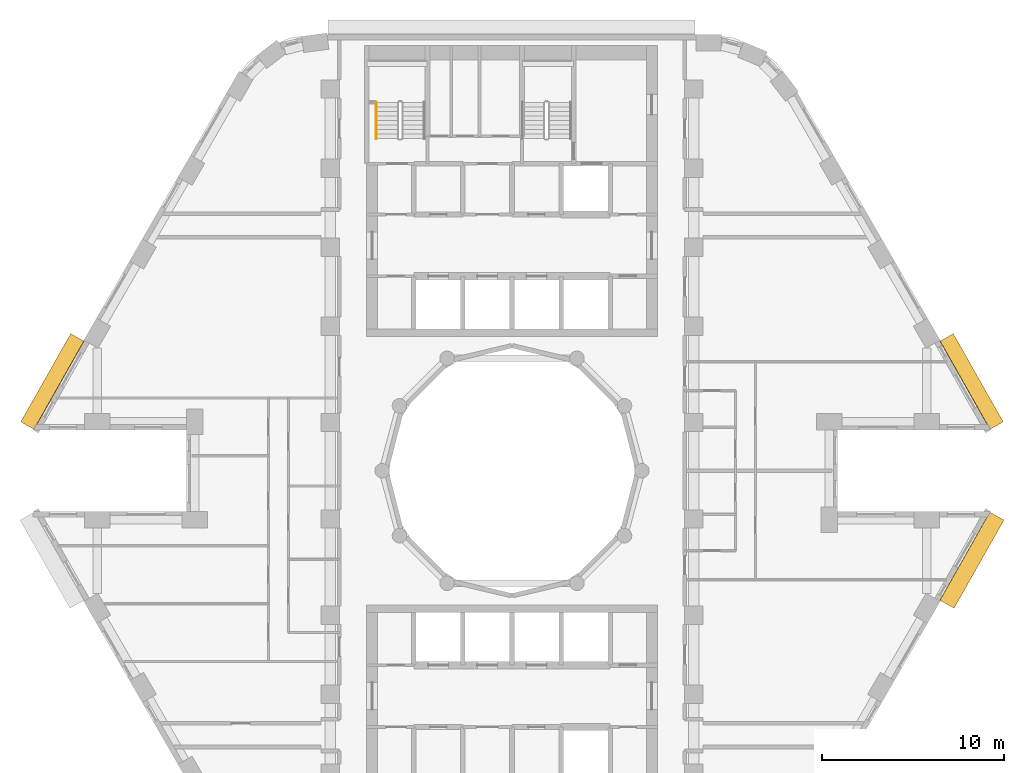
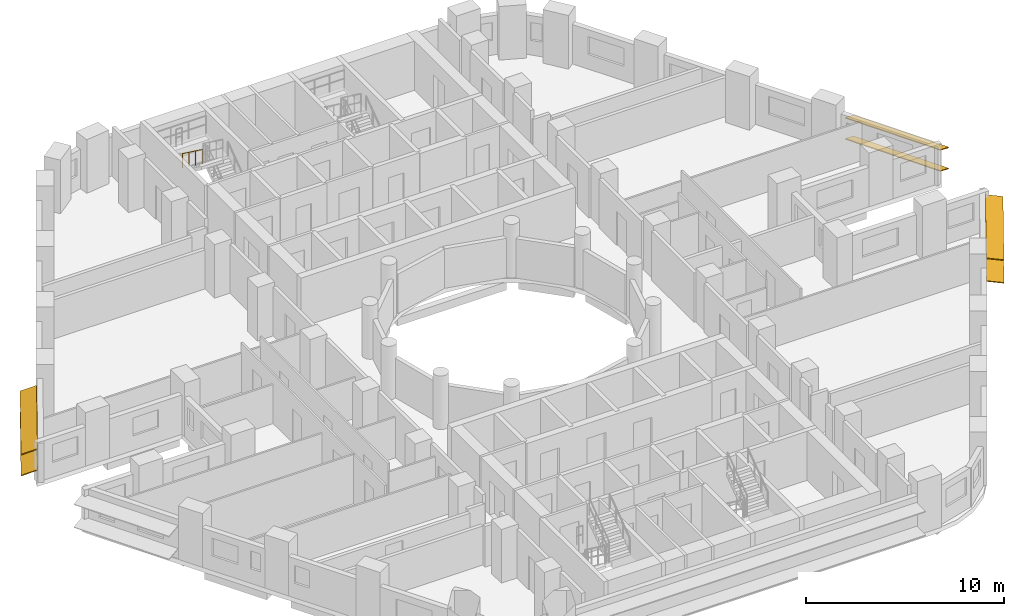
# One storey, part 11 of 12: 6 shading devices, 1 railing.
"""IFC4 building model written with IfcOpenShell, lengths in metres."""

import ifcopenshell
import ifcopenshell.guid

model = None  # the IFC model being written
_history = None  # IfcOwnerHistory: only IFC2X3 demands one
_inside = {}  # id of a spatial element -> (the spatial element, [elements in it])
_under = {}  # id of a project, library or spatial element -> (it, [spatial elements below it])
_declared = {}  # id of a project -> (the project, [libraries it declares])
_typed = {}  # id of a type object -> (the type object, [elements of that type])
_made_of = {}  # id of a material, layer set ... -> (it, [elements and type objects made of it])


def new_model(schema):
    """Start an empty IFC model of exactly this schema.

    Asked for "IFC4X3", IfcOpenShell would pick the latest addendum, in which some entities
    have other attributes; the version numbers below select the first issue.
    IFC2X3 requires an IfcOwnerHistory on every rooted entity: one is made here for all.
    """
    global model, _history
    if schema == "IFC4X3":
        model = ifcopenshell.file(schema_version=(4, 3, 0, 0))
    else:
        model = ifcopenshell.file(schema=schema)
    _inside.clear()
    _under.clear()
    _declared.clear()
    _typed.clear()
    _made_of.clear()
    _history = None
    if model.schema == "IFC2X3":
        org = make("IfcOrganization", Name="unknown")
        user = make(
            "IfcPersonAndOrganization",
            ThePerson=make("IfcPerson", FamilyName="unknown"),
            TheOrganization=org,
        )
        app = make(
            "IfcApplication",
            ApplicationDeveloper=org,
            Version="unknown",
            ApplicationFullName="unknown",
            ApplicationIdentifier="unknown",
        )
        _history = make(
            "IfcOwnerHistory",
            OwningUser=user,
            OwningApplication=app,
            ChangeAction="ADDED",
            CreationDate=0,
        )
    return model


def make(cls, **values):
    """One entity of the class cls with the attributes given. An attribute that is None is left unset."""
    return model.create_entity(
        cls, **{name: value for name, value in values.items() if value is not None}
    )


def rooted(cls, **values):
    """An entity with a GlobalId (a new one), such as an element, a storey or a relation."""
    return make(cls, GlobalId=ifcopenshell.guid.new(), OwnerHistory=_history, **values)


def si_unit(unit_type, name, prefix=None):
    """IfcSIUnit, for example si_unit("LENGTHUNIT", "METRE", prefix="MILLI")."""
    return make("IfcSIUnit", UnitType=unit_type, Prefix=prefix, Name=name)


def assignment(units):
    """IfcUnitAssignment: the units of a project."""
    return None if units is None else make("IfcUnitAssignment", Units=units)


def point(xyz):
    """IfcCartesianPoint."""
    return None if xyz is None else make("IfcCartesianPoint", Coordinates=xyz)


def direction(xyz):
    """IfcDirection."""
    return None if xyz is None else make("IfcDirection", DirectionRatios=xyz)


def frame(location, z_axis=None, x_axis=None):
    """IfcAxis2Placement3D, a coordinate frame: its origin and axes. An axis left out is left unset."""
    return make(
        "IfcAxis2Placement3D",
        Location=point(location),
        Axis=direction(z_axis),
        RefDirection=direction(x_axis),
    )


def frame_2d(location, x_axis=None):
    """IfcAxis2Placement2D, a coordinate frame in the plane: its origin and x axis."""
    return make(
        "IfcAxis2Placement2D", Location=point(location), RefDirection=direction(x_axis)
    )


def origin():
    """The frame at (0, 0, 0) with its axes left unset."""
    return frame((0.0, 0.0, 0.0))


def origin_2d():
    """The frame at (0, 0) in the plane with its x axis left unset."""
    return frame_2d((0.0, 0.0))


def place(relative_to, where):
    """IfcLocalPlacement: puts the frame where relative to a parent placement (None: the world)."""
    return make(
        "IfcLocalPlacement", PlacementRelTo=relative_to, RelativePlacement=where
    )


def context(
    kind, dimensions, precision=None, world=None, true_north=None, identifier=None
):
    """IfcGeometricRepresentationContext, for example the 3D "Model" context."""
    return make(
        "IfcGeometricRepresentationContext",
        ContextIdentifier=identifier,
        ContextType=kind,
        CoordinateSpaceDimension=dimensions,
        Precision=precision,
        WorldCoordinateSystem=world,
        TrueNorth=true_north,
    )


def subcontext(parent, identifier, kind, view, scale=None):
    """IfcGeometricRepresentationSubContext, for example "Body" below "Model"."""
    return make(
        "IfcGeometricRepresentationSubContext",
        ContextIdentifier=identifier,
        ContextType=kind,
        ParentContext=parent,
        TargetScale=scale,
        TargetView=view,
    )


def project(units=None, contexts=None):
    """IfcProject with its units and contexts."""
    return rooted(
        "IfcProject",
        Name="project",
        RepresentationContexts=contexts,
        UnitsInContext=assignment(units),
    )


def spatial(cls, under=None, at=None, **own):
    """A site, building, storey or space (cls), placed at a placement, below another one or the project."""
    s = rooted(cls, ObjectPlacement=at, **own)
    if under is not None:
        _under.setdefault(under.id(), (under, []))[1].append(s)
    return s


def profile(cls, at=None, kind="AREA", **sizes):
    """A parametric profile (cls). Its sizes go by their IFC names, for example OverallWidth=200.0."""
    return make(cls, ProfileType=kind, Position=at, **sizes)


def rectangle(**sizes):
    """IfcRectangleProfileDef."""
    return profile("IfcRectangleProfileDef", **sizes)


def circle(**sizes):
    """IfcCircleProfileDef."""
    return profile("IfcCircleProfileDef", **sizes)


def extrude(swept, where, along, depth):
    """IfcExtrudedAreaSolid: the profile swept, set in the frame where, extruded along a direction by depth."""
    return make(
        "IfcExtrudedAreaSolid",
        SweptArea=swept,
        Position=where,
        ExtrudedDirection=direction(along),
        Depth=depth,
    )


def shape(context_of_items, identifier, shape_type, items):
    """IfcShapeRepresentation: the items that make up one representation, for example the "Body"."""
    return make(
        "IfcShapeRepresentation",
        ContextOfItems=context_of_items,
        RepresentationIdentifier=identifier,
        RepresentationType=shape_type,
        Items=items,
    )


def material(Name=None, Category=None):
    """IfcMaterial."""
    return make("IfcMaterial", Name=Name, Category=Category)


def material_profile(
    of_material, cross_section, Name=None, Category=None, Priority=None
):
    """IfcMaterialProfile: a cross section and its material."""
    return make(
        "IfcMaterialProfile",
        Name=Name,
        Material=of_material,
        Profile=cross_section,
        Priority=Priority,
        Category=Category,
    )


def profile_set(profiles, Name=None, composite=None):
    """IfcMaterialProfileSet."""
    return make(
        "IfcMaterialProfileSet",
        Name=Name,
        MaterialProfiles=profiles,
        CompositeProfile=composite,
    )


def made_of(thing, what):
    """Note that an element or type object is made of a material, layer set ...; save() writes the relation."""
    if what is not None:
        _made_of.setdefault(what.id(), (what, []))[1].append(thing)
    return thing


def type_object(cls, material=None, **own):
    """A type object (cls), such as IfcWallType, which elements share."""
    return made_of(rooted(cls, **own), material)


def element(
    cls,
    number,
    at=None,
    inside=None,
    cuts=None,
    type_object=None,
    material=None,
    context=None,
    identifier="Body",
    shape_type=None,
    held_by="IfcProductDefinitionShape",
    body=None,
    shapes=None,
    **own,
):
    """One element of the class cls, such as IfcWall. Its Tag is "e" and its number.

    at: its placement. inside: the storey or other place that contains it. cuts: it is an
    opening in that element (IfcRelVoidsElement). A single representation is given by context,
    identifier, shape_type and body (its items); several are given by shapes. held_by: the class
    of the entity that holds the representations. save() writes the other relations.
    """
    e = rooted(cls, Tag="e%d" % number, ObjectPlacement=at, **own)
    if body is not None:
        shapes = [shape(context, identifier, shape_type, body)]
    if shapes is not None:
        e.Representation = make(held_by, Representations=shapes)
    if inside is not None:
        _inside.setdefault(inside.id(), (inside, []))[1].append(e)
    if cuts is not None:
        rooted(
            "IfcRelVoidsElement", RelatingBuildingElement=cuts, RelatedOpeningElement=e
        )
    if type_object is not None:
        _typed.setdefault(type_object.id(), (type_object, []))[1].append(e)
    return made_of(e, material)


def aggregate(whole, parts):
    """IfcRelAggregates: a whole, such as a stair, and the parts it consists of."""
    return rooted("IfcRelAggregates", RelatingObject=whole, RelatedObjects=parts)


def save(model, path):
    """Write the relations noted so far, then the file.

    IfcRelAggregates (storeys below a building ...), IfcRelContainedInSpatialStructure (elements
    in a storey), IfcRelDefinesByType, IfcRelAssociatesMaterial and IfcRelDeclares: one each for
    every whole, place, type object, material and project.
    """
    for whole, parts in _under.values():
        aggregate(whole, parts)
    for where, things in _inside.values():
        rooted(
            "IfcRelContainedInSpatialStructure",
            RelatedElements=things,
            RelatingStructure=where,
        )
    for kind, things in _typed.values():
        rooted("IfcRelDefinesByType", RelatedObjects=things, RelatingType=kind)
    for what, things in _made_of.values():
        rooted("IfcRelAssociatesMaterial", RelatedObjects=things, RelatingMaterial=what)
    for by, libraries in _declared.values():
        rooted("IfcRelDeclares", RelatingContext=by, RelatedDefinitions=libraries)
    model.write(path)


model = new_model("IFC4")

# Units and contexts
model_context = context("Model", 3, precision=1e-05, world=origin(), true_north=direction((0.0, 1.0)))
body_context = subcontext(model_context, "Body", "Model", "MODEL_VIEW")
ifc_project = project(units=[si_unit("LENGTHUNIT", "METRE"), si_unit("AREAUNIT", "SQUARE_METRE"), si_unit("VOLUMEUNIT", "CUBIC_METRE"), si_unit("PLANEANGLEUNIT", "RADIAN"), si_unit("MASSUNIT", "GRAM", prefix="KILO")], contexts=[model_context])

# Site, building, storey
site_placement = place(None, origin())
site = spatial("IfcSite", under=ifc_project, at=site_placement, CompositionType="ELEMENT")
building_placement = place(site_placement, origin())
building = spatial("IfcBuilding", under=site, at=building_placement, Name="Nakaniwa Court", CompositionType="ELEMENT")
storey_placement = place(building_placement, frame((0.0, 0.0, 90.89990234375)))
storey = spatial("IfcBuildingStorey", under=building, at=storey_placement, Name="L23", CompositionType="ELEMENT", Elevation=90.89990234375)

# Shading devices
ifc_material_1 = material(Name="Perforated charcoal ceramic louvre blade")
ifc_material_profile = material_profile(ifc_material_1, rectangle(XDim=0.89990234375, YDim=0.050048828125, at=origin_2d()), Name="Perforated ceramic louvre blade")
ifc_profile_set = profile_set([ifc_material_profile], Name="Perforated charcoal ceramic louvre blade")
shading_device_type = type_object("IfcShadingDeviceType", Name="Perforated ceramic louvre blade", PredefinedType="JALOUSIE", material=ifc_profile_set)
for number, where, z_axis, x_axis, name in (
    (1, (106.662353515625, 82.480224609375, 0.550048828125), (-0.492438058427, 0.870347493024, 0.0), (-0.804676322539, -0.455281653718, 0.38107037635), "L23 perforated ceramic louvre blade w02 1"),
    (2, (106.662353515625, 82.480224609375, 1.845458984375), (-0.492438058427, 0.870347493024, 0.0), (-0.804676322539, -0.455281653718, 0.38107037635), "L23 perforated ceramic louvre blade w02 2"),
    (3, (56.083740234375, 87.333740234375, 0.550048828125), (-0.492438058427, -0.870347493024, 0.0), (0.804676322539, -0.455281653718, 0.38107037635), "L23 perforated ceramic louvre blade w14 1"),
    (4, (56.083740234375, 87.333740234375, 1.845458984375), (-0.492438058427, -0.870347493024, 0.0), (0.804676322539, -0.455281653718, 0.38107037635), "L23 perforated ceramic louvre blade w14 2"),
    (5, (103.93701171875, 72.654541015625, 0.550048828125), (0.492438058427, 0.870347493024, 0.0), (-0.862701960504, 0.488112256124, 0.132256390257), "L23 perforated ceramic louvre blade w32 1"),
    (6, (103.93701171875, 72.654541015625, 1.955810546875), (0.492438058427, 0.870347493024, 0.0), (-0.862701960504, 0.488112256124, 0.132256390257), "L23 perforated ceramic louvre blade w32 2"),
):
    element("IfcShadingDevice", number, at=place(storey_placement, frame(where, z_axis=z_axis, x_axis=x_axis)), inside=storey, type_object=shading_device_type, Name=name, PredefinedType="JALOUSIE", context=body_context, shape_type="SweptSolid", body=[
        extrude(rectangle(XDim=0.89990234375, YDim=0.050048828125, at=origin_2d()), origin(), (0.0, 0.0, 1.0), 5.576416015625),
    ])

# Railing
ifc_material_2 = material(Name="Black powder coated steel handrail", Category="steel")
railing_type = type_object("IfcRailingType", Name="Stair handrail 900", PredefinedType="HANDRAIL", material=ifc_material_2)
railing_placement = place(storey_placement, frame((72.52490234375, 100.27490234375, 1.83349609375)))
element("IfcRailing", 7, at=railing_placement, inside=storey, type_object=railing_type, Name="L23 ST1 stair handrail 2", PredefinedType="HANDRAIL", context=body_context, shape_type="SweptSolid", body=[
    extrude(circle(Radius=0.02392578125, at=origin_2d()), frame((0.0, 0.0, 0.8759765625), z_axis=(0.0, -0.806426902644, 0.591333789573), x_axis=(1.0, 0.0, 0.0)), (0.0, 0.0, 1.0), 2.47998046875),
    extrude(circle(Radius=0.02099609375, at=origin_2d()), origin(), (0.0, 0.0, 1.0), 0.851806640625),
    extrude(circle(Radius=0.02099609375, at=origin_2d()), frame((0.0, -0.666748046875, 0.48876953125)), (0.0, 0.0, 1.0), 0.851806640625),
    extrude(circle(Radius=0.02099609375, at=origin_2d()), frame((0.0, -1.333251953125, 0.977783203125)), (0.0, 0.0, 1.0), 0.851806640625),
    extrude(circle(Radius=0.02099609375, at=origin_2d()), frame((0.0, -2.0, 1.466552734375)), (0.0, 0.0, 1.0), 0.851806640625),
])

save(model, "model.ifc")
